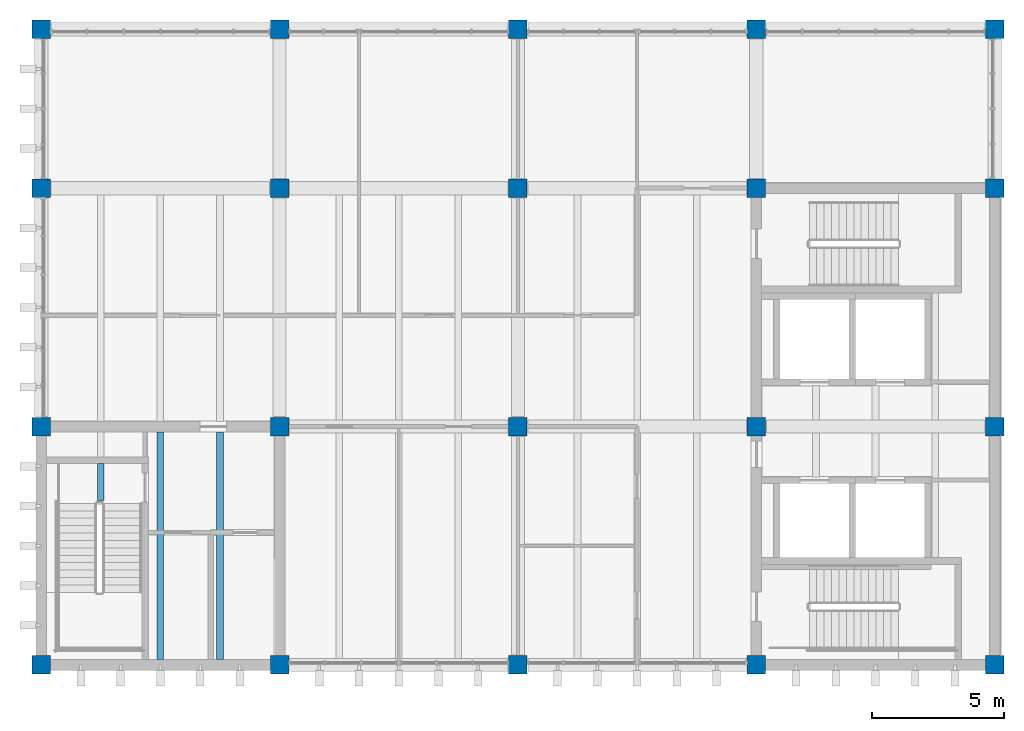
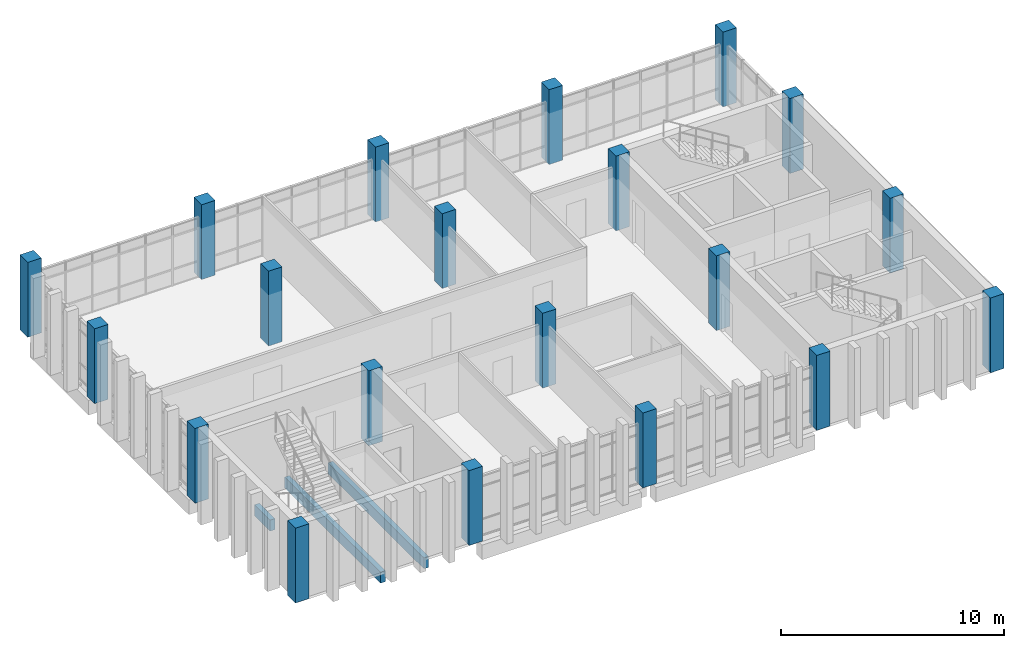
# One storey, part 1 of 14: 20 columns, 3 beams.
"""IFC4 building model written with IfcOpenShell, lengths in metres."""

from ifc_helpers import new_model, si_unit, direction, frame, origin, origin_2d, place, context, subcontext, project, spatial, rectangle, extrude, material, material_profile, profile_set, type_object, element, save


model = new_model("IFC4")

# Units and contexts
model_context = context("Model", 3, precision=1e-05, world=origin(), true_north=direction((0.0, 1.0)))
body_context = subcontext(model_context, "Body", "Model", "MODEL_VIEW")
ifc_project = project(units=[si_unit("LENGTHUNIT", "METRE"), si_unit("AREAUNIT", "SQUARE_METRE"), si_unit("VOLUMEUNIT", "CUBIC_METRE"), si_unit("PLANEANGLEUNIT", "RADIAN"), si_unit("MASSUNIT", "GRAM", prefix="KILO")], contexts=[model_context])

# Site, building, storey
site_placement = place(None, origin())
site = spatial("IfcSite", under=ifc_project, at=site_placement, CompositionType="ELEMENT")
building_placement = place(site_placement, origin())
building = spatial("IfcBuilding", under=site, at=building_placement, Name="Merrow Basin Faculty of Sciences", CompositionType="ELEMENT")
storey_placement = place(building_placement, frame((0.0, 0.0, 36.0)))
storey = spatial("IfcBuildingStorey", under=building, at=storey_placement, Name="L08", CompositionType="ELEMENT", Elevation=36.0)

# Columns
ifc_material_1 = material(Name="Concrete C40/50", Category="concrete")
ifc_material_profile_1 = material_profile(ifc_material_1, rectangle(XDim=0.699951171875, YDim=0.699951171875, at=origin_2d()))
ifc_profile_set_1 = profile_set([ifc_material_profile_1], Name="Concrete C40/50")
column_type = type_object("IfcColumnType", Name="Column RC700x700 C40/50", PredefinedType="COLUMN", material=ifc_profile_set_1)
for number, where, z_axis, x_axis, name in (
    (1, (18.0, 142.0, 0.0), (0.0, 0.0, 1.0), (1.0, 0.0, 0.0), "Column S13 L08"),
    (2, (18.0, 151.0, 0.0), (0.0, 0.0, 1.0), (1.0, 0.0, 0.0), "Column S14 L08"),
    (3, (18.0, 160.0, 0.0), (0.0, 0.0, 1.0), (1.0, 0.0, 0.0), "Column S15 L08"),
    (4, (18.0, 166.0, 0.0), (0.0, 0.0, 1.0), (1.0, 0.0, 0.0), "Column S17 L08"),
    (5, (27.0, 142.0, 0.0), (0.0, 0.0, 1.0), (1.0, 0.0, 0.0), "Column D13 L08"),
    (6, (27.0, 151.0, 0.0), (0.0, 0.0, 1.0), (1.0, 0.0, 0.0), "Column D14 L08"),
    (7, (27.0, 160.0, 0.0), (0.0, 0.0, 1.0), (1.0, 0.0, 0.0), "Column D15 L08"),
    (8, (27.0, 166.0, 0.0), (0.0, 0.0, 1.0), (1.0, 0.0, 0.0), "Column D17 L08"),
    (9, (36.0, 142.0, 0.0), (0.0, 0.0, 1.0), (1.0, 0.0, 0.0), "Column E13 L08"),
    (10, (36.0, 151.0, 0.0), (0.0, 0.0, 1.0), (1.0, 0.0, 0.0), "Column E14 L08"),
    (11, (36.0, 160.0, 0.0), (0.0, 0.0, 1.0), (1.0, 0.0, 0.0), "Column E15 L08"),
    (12, (36.0, 166.0, 0.0), (0.0, 0.0, 1.0), (1.0, 0.0, 0.0), "Column E17 L08"),
    (13, (45.0, 142.0, 0.0), (0.0, 0.0, 1.0), (1.0, 0.0, 0.0), "Column F13 L08"),
    (14, (45.0, 151.0, 0.0), (0.0, 0.0, 1.0), (1.0, 0.0, 0.0), "Column F14 L08"),
    (15, (45.0, 160.0, 0.0), (0.0, 0.0, 1.0), (1.0, 0.0, 0.0), "Column F15 L08"),
    (16, (45.0, 166.0, 0.0), (0.0, 0.0, 1.0), (1.0, 0.0, 0.0), "Column F17 L08"),
    (17, (54.0, 142.0, 0.0), (0.0, 0.0, 1.0), (1.0, 0.0, 0.0), "Column G13 L08"),
    (18, (54.0, 151.0, 0.0), (0.0, 0.0, 1.0), (1.0, 0.0, 0.0), "Column G14 L08"),
    (19, (54.0, 160.0, 0.0), (0.0, 0.0, 1.0), (1.0, 0.0, 0.0), "Column G15 L08"),
    (20, (54.0, 166.0, 0.0), (0.0, 0.0, 1.0), (1.0, 0.0, 0.0), "Column G17 L08"),
):
    element("IfcColumn", number, at=place(storey_placement, frame(where, z_axis=z_axis, x_axis=x_axis)), inside=storey, type_object=column_type, Name=name, PredefinedType="COLUMN", context=body_context, shape_type="SweptSolid", body=[
        extrude(rectangle(XDim=0.699951171875, YDim=0.699951171875, at=origin_2d()), origin(), (0.0, 0.0, 1.0), 4.10009765625),
    ])

# Beams
ifc_material_2 = material(Name="Concrete C40/50", Category="concrete")
ifc_material_profile_2 = material_profile(ifc_material_2, rectangle(XDim=0.25, YDim=0.60009765625, at=origin_2d()))
ifc_profile_set_2 = profile_set([ifc_material_profile_2], Name="Concrete C40/50")
beam_type = type_object("IfcBeamType", Name="Tower floor joist RC250x600 C40/50", PredefinedType="BEAM", material=ifc_profile_set_2)
beam_placement = place(storey_placement, frame((20.25, 148.199951171875, -0.60009765625), z_axis=(0.0, 1.0, 0.0), x_axis=(-1.0, 0.0, 0.0)))
element("IfcBeam", 21, at=beam_placement, inside=storey, type_object=beam_type, Name="JT1 L08 022", PredefinedType="BEAM", context=body_context, shape_type="SweptSolid", body=[
    extrude(rectangle(XDim=0.25, YDim=0.60009765625, at=origin_2d()), origin(), (0.0, 0.0, 1.0), 1.400146484375),
])
for number, where, z_axis, x_axis, name in (
    (22, (22.5, 142.199951171875, -0.60009765625), (0.0, 1.0, 0.0), (-1.0, 0.0, 0.0), "JT1 L08 024"),
    (23, (24.75, 142.199951171875, -0.60009765625), (0.0, 1.0, 0.0), (-1.0, 0.0, 0.0), "JT1 L08 025"),
):
    element("IfcBeam", number, at=place(storey_placement, frame(where, z_axis=z_axis, x_axis=x_axis)), inside=storey, type_object=beam_type, Name=name, PredefinedType="BEAM", context=body_context, shape_type="SweptSolid", body=[
        extrude(rectangle(XDim=0.25, YDim=0.60009765625, at=origin_2d()), origin(), (0.0, 0.0, 1.0), 8.60009765625),
    ])

save(model, "model.ifc")
